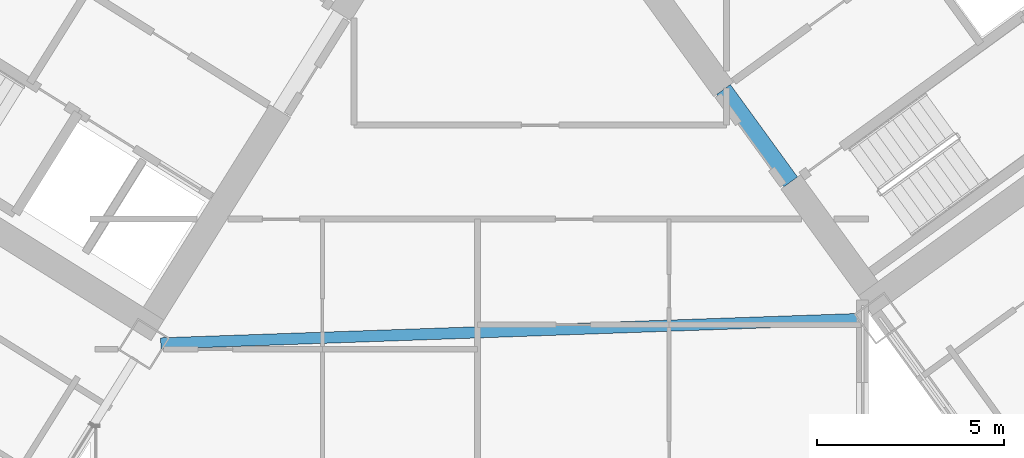
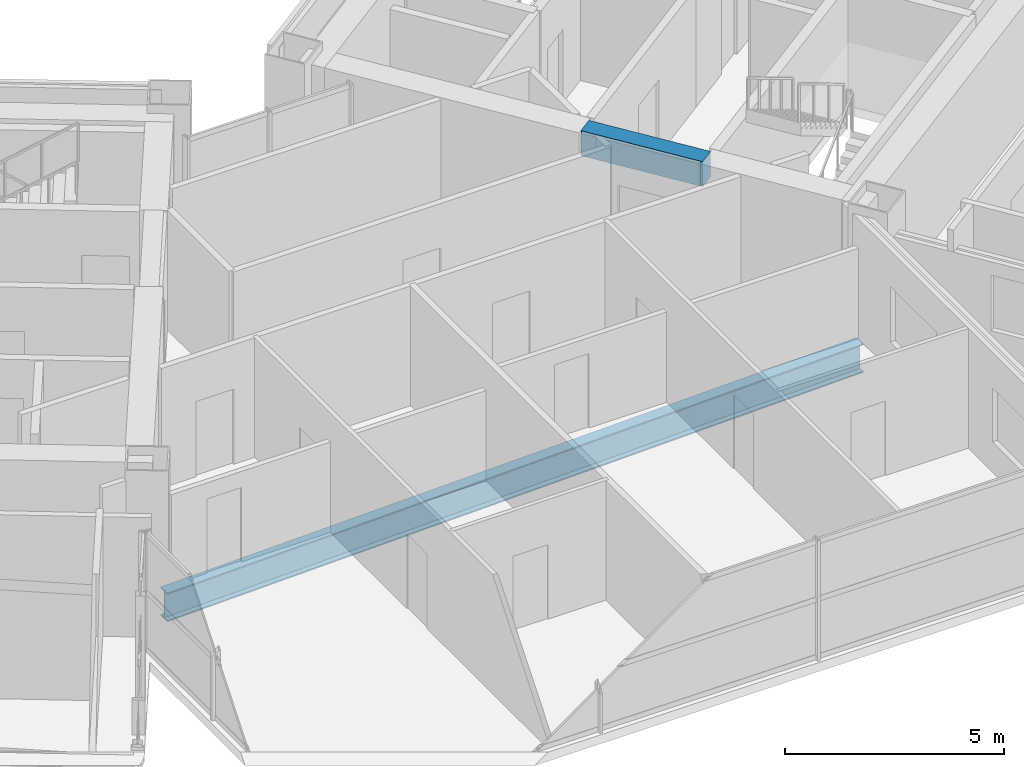
# One storey, part 8 of 28: 2 beams.
"""IFC4 building model written with IfcOpenShell, lengths in metres."""

from ifc_helpers import new_model, si_unit, direction, frame, origin, origin_2d, place, context, subcontext, project, spatial, rectangle, i_section, extrude, source, transform, mapped, material, material_profile, profile_set, type_object, element, save


model = new_model("IFC4")

# Units and contexts
model_context = context("Model", 3, precision=1e-05, world=origin(), true_north=direction((0.0, 1.0)))
body_context = subcontext(model_context, "Body", "Model", "MODEL_VIEW")
ifc_project = project(units=[si_unit("LENGTHUNIT", "METRE"), si_unit("AREAUNIT", "SQUARE_METRE"), si_unit("VOLUMEUNIT", "CUBIC_METRE"), si_unit("PLANEANGLEUNIT", "RADIAN"), si_unit("MASSUNIT", "GRAM", prefix="KILO")], contexts=[model_context])

# Site, building, storey
site_placement = place(None, origin())
site = spatial("IfcSite", under=ifc_project, at=site_placement, CompositionType="ELEMENT")
building_placement = place(site_placement, origin())
building = spatial("IfcBuilding", under=site, at=building_placement, Name="Tlacorven Tower", CompositionType="ELEMENT")
storey_placement = place(building_placement, frame((0.0, 0.0, 56.39990234375)))
storey = spatial("IfcBuildingStorey", under=building, at=storey_placement, Name="L14", CompositionType="ELEMENT", Elevation=56.39990234375)

# Beams
ifc_material_1 = material(Name="Concrete C60/75", Category="concrete")
ifc_material_profile_1 = material_profile(ifc_material_1, rectangle(XDim=0.449951171875, YDim=0.699951171875, at=origin_2d()), Name="RC 450X700")
ifc_profile_set_1 = profile_set([ifc_material_profile_1], Name="Concrete C60/75")
beam_type_1 = type_object("IfcBeamType", Name="BM-LNT-700", PredefinedType="LINTEL", material=ifc_profile_set_1)
shared_shape_1 = source(origin(), body_context, "Body", "SweptSolid", [
    extrude(rectangle(XDim=0.449951171875, YDim=0.699951171875, at=origin_2d()), origin(), (0.0, 0.0, 1.0), 3.050048828125),
])
beam_1_placement = place(storey_placement, frame((50.318359375, 16.416015625, 3.0), z_axis=(-0.587776590479, 0.80902328748, 0.0), x_axis=(-0.80902328748, -0.587776590479, 0.0)))
element("IfcBeam", 1, at=beam_1_placement, inside=storey, type_object=beam_type_1, Name="L14 E core coupling lintel beam E1", PredefinedType="LINTEL", context=body_context, shape_type="MappedRepresentation", body=[
    mapped(shared_shape_1, transform((0.0, 0.0, 0.0), scale=1.0)),
])
ifc_material_2 = material(Name="Steel S355J2", Category="steel")
ifc_material_profile_2 = material_profile(ifc_material_2, i_section(OverallWidth=0.300048828125, OverallDepth=0.800048828125, WebThickness=0.017578125, FlangeThickness=0.032958984375, at=origin_2d()), Name="HEB 800")
ifc_profile_set_2 = profile_set([ifc_material_profile_2], Name="Steel S355J2")
beam_type_2 = type_object("IfcBeamType", Name="BM-POD-800", PredefinedType="BEAM", material=ifc_profile_set_2)
shared_shape_2 = source(origin(), body_context, "Body", "SweptSolid", [
    extrude(i_section(OverallWidth=0.300048828125, OverallDepth=0.800048828125, WebThickness=0.017578125, FlangeThickness=0.032958984375, at=origin_2d()), origin(), (0.0, 0.0, 1.0), 18.771240234375),
])
beam_2_placement = place(storey_placement, frame((33.495849609375, 12.1025390625, -0.64990234375), z_axis=(0.999390514848, 0.034908434954, 0.0), x_axis=(-0.034908434954, 0.999390514848, 0.0)))
element("IfcBeam", 2, at=beam_2_placement, inside=storey, type_object=beam_type_2, Name="L14 Knuckle Link Girder 2", PredefinedType="BEAM", context=body_context, shape_type="MappedRepresentation", body=[
    mapped(shared_shape_2, transform((0.0, 0.0, 0.0), scale=1.0)),
])

save(model, "model.ifc")
